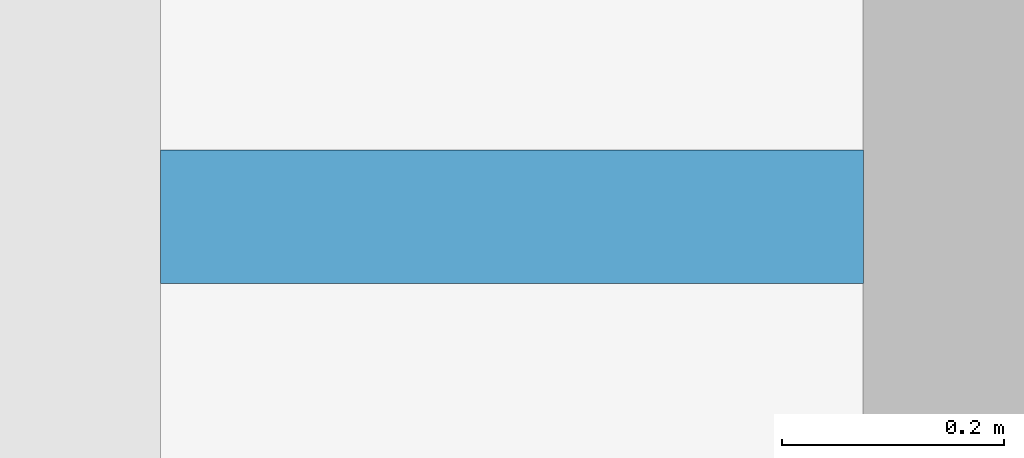
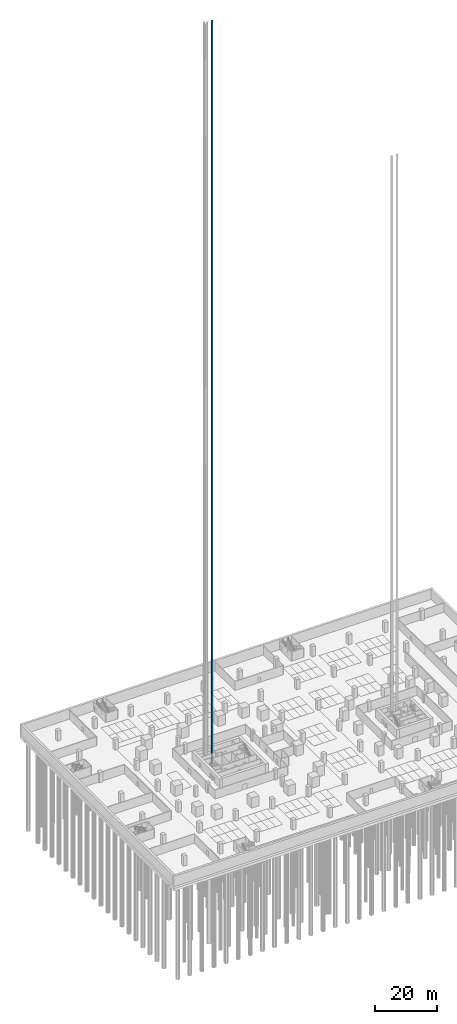
# One storey, part 21 of 40: 1 discrete accessory.
"""IFC4 building model written with IfcOpenShell, lengths in metres."""

from ifc_helpers import new_model, si_unit, direction, frame, origin, origin_2d, place, context, subcontext, project, spatial, rectangle, extrude, element, save


model = new_model("IFC4")

# Units and contexts
model_context = context("Model", 3, precision=1e-05, world=origin(), true_north=direction((0.0, 1.0)))
body_context = subcontext(model_context, "Body", "Model", "MODEL_VIEW")
ifc_project = project(units=[si_unit("LENGTHUNIT", "METRE"), si_unit("AREAUNIT", "SQUARE_METRE"), si_unit("VOLUMEUNIT", "CUBIC_METRE"), si_unit("PLANEANGLEUNIT", "RADIAN"), si_unit("MASSUNIT", "GRAM", prefix="KILO")], contexts=[model_context])

# Site, building, storey
site_placement = place(None, origin())
site = spatial("IfcSite", under=ifc_project, at=site_placement, CompositionType="ELEMENT")
building_placement = place(site_placement, origin())
building = spatial("IfcBuilding", under=site, at=building_placement, Name="Altepetl Exchange Towers", CompositionType="ELEMENT")
storey_placement = place(building_placement, frame((0.0, 0.0, -8.0)))
storey = spatial("IfcBuildingStorey", under=building, at=storey_placement, Name="B2 Basement parking", CompositionType="ELEMENT", Elevation=-8.0)

# Discrete accessory
discrete_accessory_placement = place(storey_placement, frame((46.416748046875, 55.800048828125, -1.60009765625)))
element("IfcDiscreteAccessory", 1, at=discrete_accessory_placement, inside=storey, Name="Guide rail FFL2", ObjectType="GUIDE RAIL", PredefinedType="USERDEFINED", context=body_context, shape_type="SweptSolid", body=[
    extrude(rectangle(XDim=0.63330078125, YDim=0.1201171875, at=origin_2d()), origin(), (0.0, 0.0, 1.0), 291.699951171875),
])

save(model, "model.ifc")
